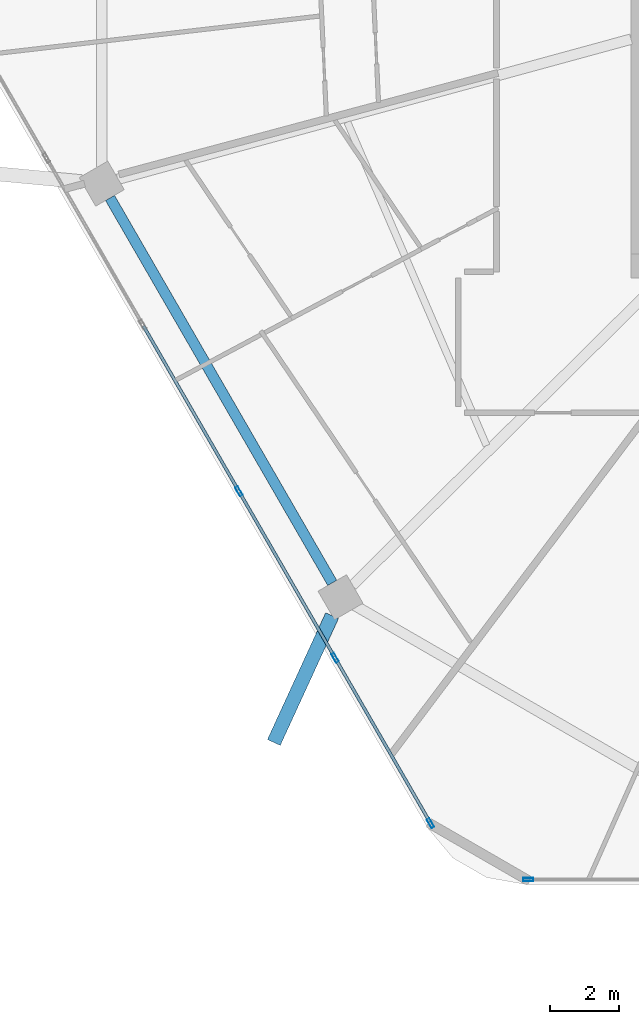
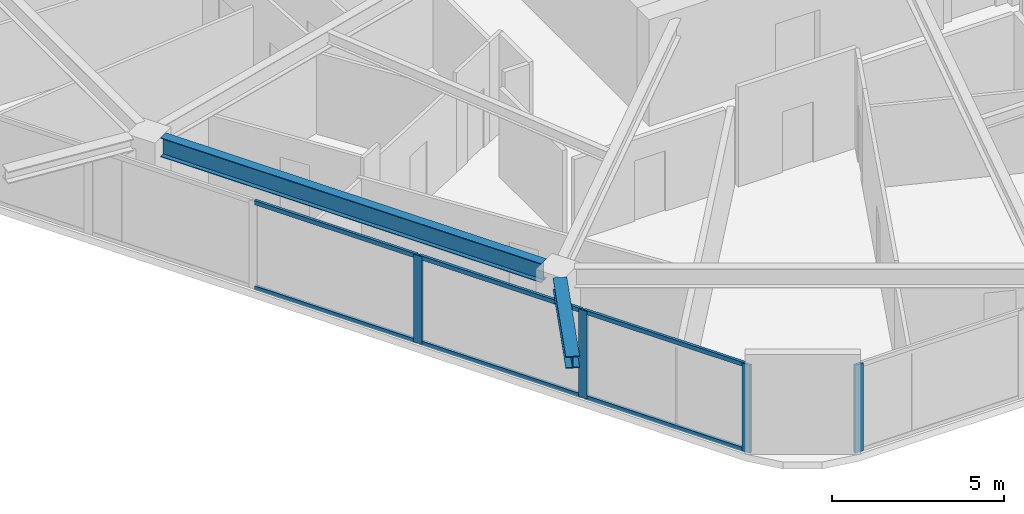
# One storey, part 2 of 27: 10 members, 2 beams, 2 elements without a shape of their own.
"""IFC4 building model written with IfcOpenShell, lengths in metres."""

import ifcopenshell
import ifcopenshell.guid

model = None  # the IFC model being written
_history = None  # IfcOwnerHistory: only IFC2X3 demands one
_inside = {}  # id of a spatial element -> (the spatial element, [elements in it])
_under = {}  # id of a project, library or spatial element -> (it, [spatial elements below it])
_declared = {}  # id of a project -> (the project, [libraries it declares])
_typed = {}  # id of a type object -> (the type object, [elements of that type])
_made_of = {}  # id of a material, layer set ... -> (it, [elements and type objects made of it])


def new_model(schema):
    """Start an empty IFC model of exactly this schema.

    Asked for "IFC4X3", IfcOpenShell would pick the latest addendum, in which some entities
    have other attributes; the version numbers below select the first issue.
    IFC2X3 requires an IfcOwnerHistory on every rooted entity: one is made here for all.
    """
    global model, _history
    if schema == "IFC4X3":
        model = ifcopenshell.file(schema_version=(4, 3, 0, 0))
    else:
        model = ifcopenshell.file(schema=schema)
    _inside.clear()
    _under.clear()
    _declared.clear()
    _typed.clear()
    _made_of.clear()
    _history = None
    if model.schema == "IFC2X3":
        org = make("IfcOrganization", Name="unknown")
        user = make(
            "IfcPersonAndOrganization",
            ThePerson=make("IfcPerson", FamilyName="unknown"),
            TheOrganization=org,
        )
        app = make(
            "IfcApplication",
            ApplicationDeveloper=org,
            Version="unknown",
            ApplicationFullName="unknown",
            ApplicationIdentifier="unknown",
        )
        _history = make(
            "IfcOwnerHistory",
            OwningUser=user,
            OwningApplication=app,
            ChangeAction="ADDED",
            CreationDate=0,
        )
    return model


def make(cls, **values):
    """One entity of the class cls with the attributes given. An attribute that is None is left unset."""
    return model.create_entity(
        cls, **{name: value for name, value in values.items() if value is not None}
    )


def rooted(cls, **values):
    """An entity with a GlobalId (a new one), such as an element, a storey or a relation."""
    return make(cls, GlobalId=ifcopenshell.guid.new(), OwnerHistory=_history, **values)


def si_unit(unit_type, name, prefix=None):
    """IfcSIUnit, for example si_unit("LENGTHUNIT", "METRE", prefix="MILLI")."""
    return make("IfcSIUnit", UnitType=unit_type, Prefix=prefix, Name=name)


def assignment(units):
    """IfcUnitAssignment: the units of a project."""
    return None if units is None else make("IfcUnitAssignment", Units=units)


def point(xyz):
    """IfcCartesianPoint."""
    return None if xyz is None else make("IfcCartesianPoint", Coordinates=xyz)


def direction(xyz):
    """IfcDirection."""
    return None if xyz is None else make("IfcDirection", DirectionRatios=xyz)


def frame(location, z_axis=None, x_axis=None):
    """IfcAxis2Placement3D, a coordinate frame: its origin and axes. An axis left out is left unset."""
    return make(
        "IfcAxis2Placement3D",
        Location=point(location),
        Axis=direction(z_axis),
        RefDirection=direction(x_axis),
    )


def frame_2d(location, x_axis=None):
    """IfcAxis2Placement2D, a coordinate frame in the plane: its origin and x axis."""
    return make(
        "IfcAxis2Placement2D", Location=point(location), RefDirection=direction(x_axis)
    )


def origin():
    """The frame at (0, 0, 0) with its axes left unset."""
    return frame((0.0, 0.0, 0.0))


def origin_2d():
    """The frame at (0, 0) in the plane with its x axis left unset."""
    return frame_2d((0.0, 0.0))


def place(relative_to, where):
    """IfcLocalPlacement: puts the frame where relative to a parent placement (None: the world)."""
    return make(
        "IfcLocalPlacement", PlacementRelTo=relative_to, RelativePlacement=where
    )


def context(
    kind, dimensions, precision=None, world=None, true_north=None, identifier=None
):
    """IfcGeometricRepresentationContext, for example the 3D "Model" context."""
    return make(
        "IfcGeometricRepresentationContext",
        ContextIdentifier=identifier,
        ContextType=kind,
        CoordinateSpaceDimension=dimensions,
        Precision=precision,
        WorldCoordinateSystem=world,
        TrueNorth=true_north,
    )


def subcontext(parent, identifier, kind, view, scale=None):
    """IfcGeometricRepresentationSubContext, for example "Body" below "Model"."""
    return make(
        "IfcGeometricRepresentationSubContext",
        ContextIdentifier=identifier,
        ContextType=kind,
        ParentContext=parent,
        TargetScale=scale,
        TargetView=view,
    )


def project(units=None, contexts=None):
    """IfcProject with its units and contexts."""
    return rooted(
        "IfcProject",
        Name="project",
        RepresentationContexts=contexts,
        UnitsInContext=assignment(units),
    )


def spatial(cls, under=None, at=None, **own):
    """A site, building, storey or space (cls), placed at a placement, below another one or the project."""
    s = rooted(cls, ObjectPlacement=at, **own)
    if under is not None:
        _under.setdefault(under.id(), (under, []))[1].append(s)
    return s


def profile(cls, at=None, kind="AREA", **sizes):
    """A parametric profile (cls). Its sizes go by their IFC names, for example OverallWidth=200.0."""
    return make(cls, ProfileType=kind, Position=at, **sizes)


def hollow_rectangle(**sizes):
    """IfcRectangleHollowProfileDef."""
    return profile("IfcRectangleHollowProfileDef", **sizes)


def i_section(**sizes):
    """IfcIShapeProfileDef."""
    return profile("IfcIShapeProfileDef", **sizes)


def extrude(swept, where, along, depth):
    """IfcExtrudedAreaSolid: the profile swept, set in the frame where, extruded along a direction by depth."""
    return make(
        "IfcExtrudedAreaSolid",
        SweptArea=swept,
        Position=where,
        ExtrudedDirection=direction(along),
        Depth=depth,
    )


def shape(context_of_items, identifier, shape_type, items):
    """IfcShapeRepresentation: the items that make up one representation, for example the "Body"."""
    return make(
        "IfcShapeRepresentation",
        ContextOfItems=context_of_items,
        RepresentationIdentifier=identifier,
        RepresentationType=shape_type,
        Items=items,
    )


def material(Name=None, Category=None):
    """IfcMaterial."""
    return make("IfcMaterial", Name=Name, Category=Category)


def material_profile(
    of_material, cross_section, Name=None, Category=None, Priority=None
):
    """IfcMaterialProfile: a cross section and its material."""
    return make(
        "IfcMaterialProfile",
        Name=Name,
        Material=of_material,
        Profile=cross_section,
        Priority=Priority,
        Category=Category,
    )


def profile_set(profiles, Name=None, composite=None):
    """IfcMaterialProfileSet."""
    return make(
        "IfcMaterialProfileSet",
        Name=Name,
        MaterialProfiles=profiles,
        CompositeProfile=composite,
    )


def made_of(thing, what):
    """Note that an element or type object is made of a material, layer set ...; save() writes the relation."""
    if what is not None:
        _made_of.setdefault(what.id(), (what, []))[1].append(thing)
    return thing


def type_object(cls, material=None, **own):
    """A type object (cls), such as IfcWallType, which elements share."""
    return made_of(rooted(cls, **own), material)


def element(
    cls,
    number,
    at=None,
    inside=None,
    cuts=None,
    type_object=None,
    material=None,
    context=None,
    identifier="Body",
    shape_type=None,
    held_by="IfcProductDefinitionShape",
    body=None,
    shapes=None,
    **own,
):
    """One element of the class cls, such as IfcWall. Its Tag is "e" and its number.

    at: its placement. inside: the storey or other place that contains it. cuts: it is an
    opening in that element (IfcRelVoidsElement). A single representation is given by context,
    identifier, shape_type and body (its items); several are given by shapes. held_by: the class
    of the entity that holds the representations. save() writes the other relations.
    """
    e = rooted(cls, Tag="e%d" % number, ObjectPlacement=at, **own)
    if body is not None:
        shapes = [shape(context, identifier, shape_type, body)]
    if shapes is not None:
        e.Representation = make(held_by, Representations=shapes)
    if inside is not None:
        _inside.setdefault(inside.id(), (inside, []))[1].append(e)
    if cuts is not None:
        rooted(
            "IfcRelVoidsElement", RelatingBuildingElement=cuts, RelatedOpeningElement=e
        )
    if type_object is not None:
        _typed.setdefault(type_object.id(), (type_object, []))[1].append(e)
    return made_of(e, material)


def aggregate(whole, parts):
    """IfcRelAggregates: a whole, such as a stair, and the parts it consists of."""
    return rooted("IfcRelAggregates", RelatingObject=whole, RelatedObjects=parts)


def save(model, path):
    """Write the relations noted so far, then the file.

    IfcRelAggregates (storeys below a building ...), IfcRelContainedInSpatialStructure (elements
    in a storey), IfcRelDefinesByType, IfcRelAssociatesMaterial and IfcRelDeclares: one each for
    every whole, place, type object, material and project.
    """
    for whole, parts in _under.values():
        aggregate(whole, parts)
    for where, things in _inside.values():
        rooted(
            "IfcRelContainedInSpatialStructure",
            RelatedElements=things,
            RelatingStructure=where,
        )
    for kind, things in _typed.values():
        rooted("IfcRelDefinesByType", RelatedObjects=things, RelatingType=kind)
    for what, things in _made_of.values():
        rooted("IfcRelAssociatesMaterial", RelatedObjects=things, RelatingMaterial=what)
    for by, libraries in _declared.values():
        rooted("IfcRelDeclares", RelatingContext=by, RelatedDefinitions=libraries)
    model.write(path)


model = new_model("IFC4")

# Units and contexts
model_context = context("Model", 3, precision=1e-05, world=origin(), true_north=direction((0.0, 1.0)))
body_context = subcontext(model_context, "Body", "Model", "MODEL_VIEW")
ifc_project = project(units=[si_unit("LENGTHUNIT", "METRE"), si_unit("AREAUNIT", "SQUARE_METRE"), si_unit("VOLUMEUNIT", "CUBIC_METRE"), si_unit("PLANEANGLEUNIT", "RADIAN"), si_unit("MASSUNIT", "GRAM", prefix="KILO")], contexts=[model_context])

# Site, building, storey
site_placement = place(None, origin())
site = spatial("IfcSite", under=ifc_project, at=site_placement, CompositionType="ELEMENT")
building_placement = place(site_placement, origin())
building = spatial("IfcBuilding", under=site, at=building_placement, Name="Zuhravey Tower", CompositionType="ELEMENT")
storey_placement = place(building_placement, frame((0.0, 0.0, 188.39990234375)))
storey = spatial("IfcBuildingStorey", under=building, at=storey_placement, Name="L47", CompositionType="ELEMENT", Elevation=188.39990234375)

# Curtain wall, member
ifc_material_1 = material(Name="Thermally broken anodised aluminium", Category="aluminium")
curtain_wall_type = type_object("IfcCurtainWallType", Name="Zone 1-2 Residential Curtain Wall CW3", PredefinedType="NOTDEFINED", material=ifc_material_1)
curtain_wall_1_placement = place(storey_placement, origin())
curtain_wall_1 = element("IfcCurtainWall", 1, at=curtain_wall_1_placement, inside=storey, type_object=curtain_wall_type, Name="L47 CW3 CW-L47-F5-1", PredefinedType="NOTDEFINED")
ifc_material_2 = material(Name="Anodised aluminium", Category="aluminium")
ifc_material_profile_1 = material_profile(ifc_material_2, hollow_rectangle(XDim=0.090087890625, YDim=0.284912109375, WallThickness=0.0048828125, at=origin_2d()), Name="ALU-RHS-90x285x5")
ifc_profile_set_1 = profile_set([ifc_material_profile_1], Name="Anodised aluminium")
member_type_1 = type_object("IfcMemberType", Name="Curtain-Wall Mullion 90x180", PredefinedType="MULLION", material=ifc_profile_set_1)
member_1_placement = place(storey_placement, frame((22.183837890625, 4.81689453125, 0.0), z_axis=(0.0, 0.0, 1.0), x_axis=(0.0, -1.0, 0.0)))
member_1 = element("IfcMember", 2, at=member_1_placement, type_object=member_type_1, Name="CW3 mullion 6", PredefinedType="MULLION", context=body_context, shape_type="SweptSolid", body=[
    extrude(hollow_rectangle(XDim=0.090087890625, YDim=0.284912109375, WallThickness=0.0048828125, at=origin_2d()), origin(), (0.0, 0.0, 1.0), 3.1220703125),
])
aggregate(curtain_wall_1, [member_1])

# Curtain wall, members
curtain_wall_2_placement = place(storey_placement, origin())
curtain_wall_2 = element("IfcCurtainWall", 3, at=curtain_wall_2_placement, inside=storey, type_object=curtain_wall_type, Name="L47 CW3 CW-L47-F4-1", PredefinedType="NOTDEFINED")
member_2_placement = place(storey_placement, frame((19.36669921875, 6.443359375, 0.0), z_axis=(0.0, 0.0, 1.0), x_axis=(-0.866025138215, -0.500000459979, 0.0)))
member_2 = element("IfcMember", 4, at=member_2_placement, type_object=member_type_1, Name="CW3 mullion 1", PredefinedType="MULLION", context=body_context, shape_type="SweptSolid", body=[
    extrude(hollow_rectangle(XDim=0.090087890625, YDim=0.284912109375, WallThickness=0.0048828125, at=origin_2d()), origin(), (0.0, 0.0, 1.0), 3.1220703125),
])
member_3_placement = place(storey_placement, frame((16.6171875, 11.2060546875, 0.0), z_axis=(0.0, 0.0, 1.0), x_axis=(-0.866025138215, -0.500000459979, 0.0)))
member_3 = element("IfcMember", 5, at=member_3_placement, type_object=member_type_1, Name="CW3 mullion 2", PredefinedType="MULLION", context=body_context, shape_type="SweptSolid", body=[
    extrude(hollow_rectangle(XDim=0.090087890625, YDim=0.284912109375, WallThickness=0.0048828125, at=origin_2d()), origin(), (0.0, 0.0, 1.0), 3.1220703125),
])
member_4_placement = place(storey_placement, frame((13.844970703125, 16.007568359375, 0.0), z_axis=(0.0, 0.0, 1.0), x_axis=(-0.866025138215, -0.500000459979, 0.0)))
member_4 = element("IfcMember", 6, at=member_4_placement, type_object=member_type_1, Name="CW3 mullion 3", PredefinedType="MULLION", context=body_context, shape_type="SweptSolid", body=[
    extrude(hollow_rectangle(XDim=0.090087890625, YDim=0.284912109375, WallThickness=0.0048828125, at=origin_2d()), origin(), (0.0, 0.0, 1.0), 3.1220703125),
])
ifc_material_profile_2 = material_profile(ifc_material_2, hollow_rectangle(XDim=0.090087890625, YDim=0.14990234375, WallThickness=0.0048828125, at=origin_2d()), Name="ALU-RHS-90x150x5")
ifc_profile_set_2 = profile_set([ifc_material_profile_2], Name="Anodised aluminium")
member_type_2 = type_object("IfcMemberType", Name="Curtain-Wall Transom 90x150", PredefinedType="USERDEFINED", material=ifc_profile_set_2)
member_5_placement = place(storey_placement, frame((19.34423828125, 6.482421875, 0.045166015625), z_axis=(-0.499993332629, 0.866029253159, 0.0), x_axis=(-0.866029253159, -0.499993332629, 0.0)))
member_5 = element("IfcMember", 7, at=member_5_placement, type_object=member_type_2, Name="CW3 transom 1.1", ObjectType="TRANSOM", PredefinedType="USERDEFINED", context=body_context, shape_type="SweptSolid", body=[
    extrude(hollow_rectangle(XDim=0.090087890625, YDim=0.14990234375, WallThickness=0.0048828125, at=origin_2d()), origin(), (0.0, 0.0, 1.0), 5.4091796875),
])
member_6_placement = place(storey_placement, frame((19.34423828125, 6.482421875, 3.0771484375), z_axis=(-0.499993332629, 0.866029253159, 0.0), x_axis=(-0.866029253159, -0.499993332629, 0.0)))
member_6 = element("IfcMember", 8, at=member_6_placement, type_object=member_type_2, Name="CW3 transom 1.2", ObjectType="TRANSOM", PredefinedType="USERDEFINED", context=body_context, shape_type="SweptSolid", body=[
    extrude(hollow_rectangle(XDim=0.090087890625, YDim=0.14990234375, WallThickness=0.0048828125, at=origin_2d()), origin(), (0.0, 0.0, 1.0), 5.4091796875),
])
member_7_placement = place(storey_placement, frame((16.594482421875, 11.244873046875, 0.045166015625), z_axis=(-0.49996138257, 0.86604769842, 0.0), x_axis=(-0.86604769842, -0.49996138257, 0.0)))
member_7 = element("IfcMember", 9, at=member_7_placement, type_object=member_type_2, Name="CW3 transom 2.1", ObjectType="TRANSOM", PredefinedType="USERDEFINED", context=body_context, shape_type="SweptSolid", body=[
    extrude(hollow_rectangle(XDim=0.090087890625, YDim=0.14990234375, WallThickness=0.0048828125, at=origin_2d()), origin(), (0.0, 0.0, 1.0), 5.45458984375),
])
member_8_placement = place(storey_placement, frame((16.594482421875, 11.244873046875, 3.0771484375), z_axis=(-0.49996138257, 0.86604769842, 0.0), x_axis=(-0.86604769842, -0.49996138257, 0.0)))
member_8 = element("IfcMember", 10, at=member_8_placement, type_object=member_type_2, Name="CW3 transom 2.2", ObjectType="TRANSOM", PredefinedType="USERDEFINED", context=body_context, shape_type="SweptSolid", body=[
    extrude(hollow_rectangle(XDim=0.090087890625, YDim=0.14990234375, WallThickness=0.0048828125, at=origin_2d()), origin(), (0.0, 0.0, 1.0), 5.45458984375),
])
member_9_placement = place(storey_placement, frame((13.822265625, 16.046630859375, 0.045166015625), z_axis=(-0.499980763544, 0.866036509673, 0.0), x_axis=(-0.866036509673, -0.499980763544, 0.0)))
member_9 = element("IfcMember", 11, at=member_9_placement, type_object=member_type_2, Name="CW3 transom 3.1", ObjectType="TRANSOM", PredefinedType="USERDEFINED", context=body_context, shape_type="SweptSolid", body=[
    extrude(hollow_rectangle(XDim=0.090087890625, YDim=0.14990234375, WallThickness=0.0048828125, at=origin_2d()), origin(), (0.0, 0.0, 1.0), 5.454345703125),
])
member_10_placement = place(storey_placement, frame((13.822265625, 16.046630859375, 3.0771484375), z_axis=(-0.499980763544, 0.866036509673, 0.0), x_axis=(-0.866036509673, -0.499980763544, 0.0)))
member_10 = element("IfcMember", 12, at=member_10_placement, type_object=member_type_2, Name="CW3 transom 3.2", ObjectType="TRANSOM", PredefinedType="USERDEFINED", context=body_context, shape_type="SweptSolid", body=[
    extrude(hollow_rectangle(XDim=0.090087890625, YDim=0.14990234375, WallThickness=0.0048828125, at=origin_2d()), origin(), (0.0, 0.0, 1.0), 5.454345703125),
])
aggregate(curtain_wall_2, [member_2, member_3, member_4, member_5, member_6, member_7, member_8, member_9, member_10])

# Beams
ifc_material_3 = material(Name="Steel SM460", Category="steel")
ifc_material_profile_3 = material_profile(ifc_material_3, i_section(OverallWidth=0.406982421875, OverallDepth=0.427978515625, WebThickness=0.02001953125, FlangeThickness=0.034912109375, at=origin_2d()), Name="H-428x407x20x35")
ifc_profile_set_3 = profile_set([ifc_material_profile_3], Name="Steel SM460")
beam_type_1 = type_object("IfcBeamType", Name="Exoskeleton Node Tie Beam H428x407", PredefinedType="BEAM", material=ifc_profile_set_3)
beam_1_placement = place(storey_placement, frame((16.52978515625, 12.420654296875, 3.336181640625), z_axis=(-0.417281960524, -0.908777071355, 0.0), x_axis=(0.908777071355, -0.417281960524, 0.0)))
element("IfcBeam", 13, at=beam_1_placement, inside=storey, type_object=beam_type_1, Name="L47 Exoskeleton Node Tie NT1-08", PredefinedType="BEAM", context=body_context, shape_type="SweptSolid", body=[
    extrude(i_section(OverallWidth=0.406982421875, OverallDepth=0.427978515625, WebThickness=0.02001953125, FlangeThickness=0.034912109375, at=origin_2d()), origin(), (0.0, 0.0, 1.0), 4.02001953125),
])
ifc_material_4 = material(Name="Steel SM355", Category="steel")
ifc_material_profile_4 = material_profile(ifc_material_4, i_section(OverallWidth=0.300048828125, OverallDepth=0.679931640625, WebThickness=0.012939453125, FlangeThickness=0.02197265625, at=origin_2d()), Name="H-680x300x13x22")
ifc_profile_set_4 = profile_set([ifc_material_profile_4], Name="Steel SM355")
beam_type_2 = type_object("IfcBeamType", Name="Perimeter Ring Beam H680x300", PredefinedType="BEAM", material=ifc_profile_set_4)
beam_2_placement = place(storey_placement, frame((10.13134765625, 24.45947265625, 3.210205078125), z_axis=(0.500003505699, -0.866023379758, 0.0), x_axis=(0.866023379758, 0.500003505699, 0.0)))
element("IfcBeam", 14, at=beam_2_placement, inside=storey, type_object=beam_type_2, Name="L47 PB2 BM-L47-PB-07", PredefinedType="BEAM", context=body_context, shape_type="SweptSolid", body=[
    extrude(i_section(OverallWidth=0.300048828125, OverallDepth=0.679931640625, WebThickness=0.012939453125, FlangeThickness=0.02197265625, at=origin_2d()), origin(), (0.0, 0.0, 1.0), 12.80810546875),
])

save(model, "model.ifc")
